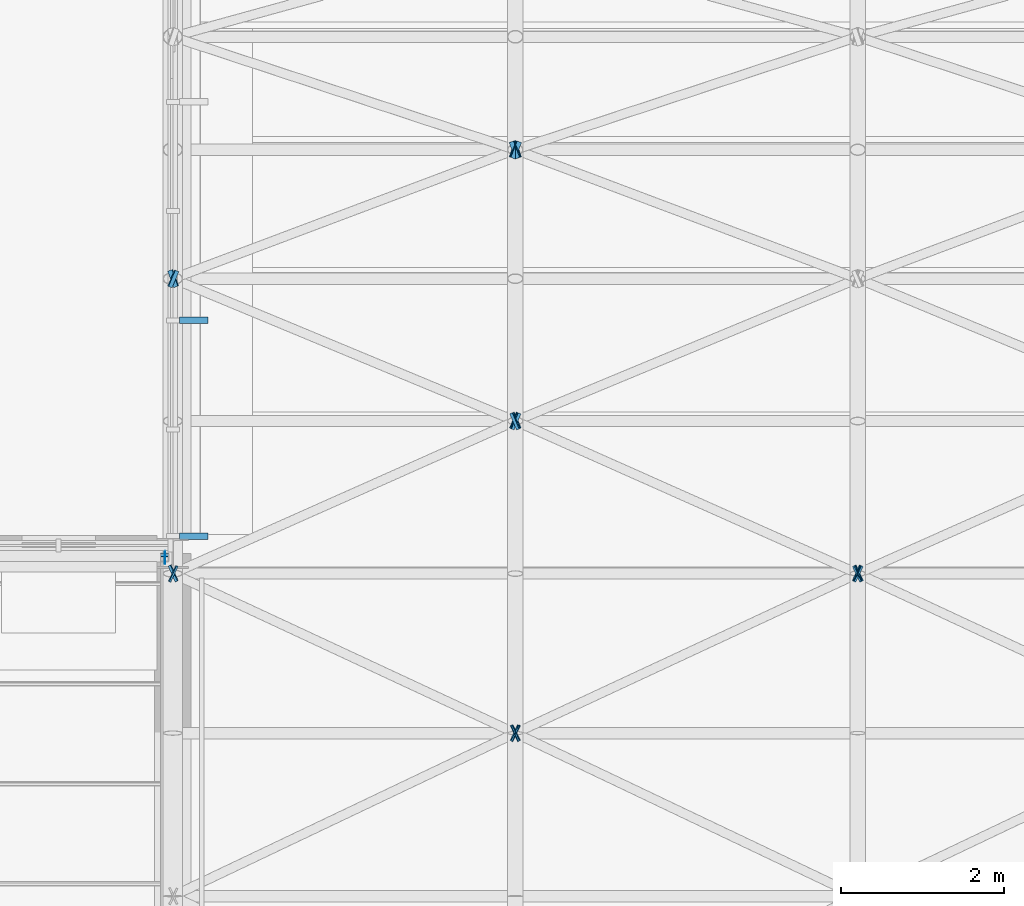
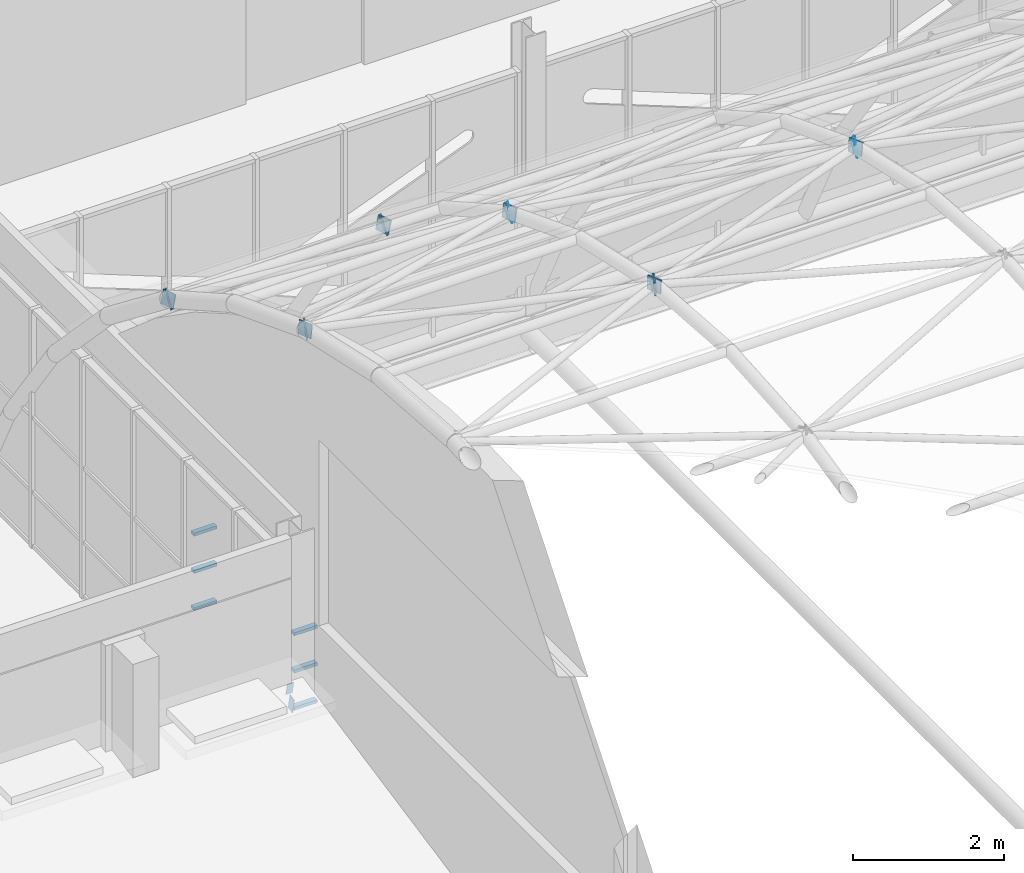
# One storey, part 107 of 121: 28 discrete accessories.
"""IFC4 building model written with IfcOpenShell, lengths in metres."""

from ifc_helpers import new_model, si_unit, direction, frame, origin, origin_2d, place, context, subcontext, project, spatial, rectangle, extrude, material, material_profile, profile_set, type_object, element, save


model = new_model("IFC4")

# Units and contexts
model_context = context("Model", 3, precision=1e-05, world=origin(), true_north=direction((0.0, 1.0)))
body_context = subcontext(model_context, "Body", "Model", "MODEL_VIEW")
ifc_project = project(units=[si_unit("LENGTHUNIT", "METRE"), si_unit("AREAUNIT", "SQUARE_METRE"), si_unit("VOLUMEUNIT", "CUBIC_METRE"), si_unit("PLANEANGLEUNIT", "RADIAN"), si_unit("MASSUNIT", "GRAM", prefix="KILO")], contexts=[model_context])

# Site, building, storey
site_placement = place(None, origin())
site = spatial("IfcSite", under=ifc_project, at=site_placement, CompositionType="ELEMENT")
building_placement = place(site_placement, origin())
building = spatial("IfcBuilding", under=site, at=building_placement, Name="Ardhachandra Cancer Care Centre", CompositionType="ELEMENT")
storey_placement = place(building_placement, frame((0.0, 0.0, 9.0)))
storey = spatial("IfcBuildingStorey", under=building, at=storey_placement, Name="L02", CompositionType="ELEMENT", Elevation=9.0)

# Discrete accessories
ifc_material_1 = material(Name="Steel E250 (IS 2062)", Category="steel")
ifc_material_profile_1 = material_profile(ifc_material_1, rectangle(XDim=0.21435546875, YDim=0.21435546875, at=origin_2d()), Name="PL 214x214x12")
ifc_profile_set_1 = profile_set([ifc_material_profile_1], Name="Steel E250 (IS 2062)")
discrete_accessory_type_1 = type_object("IfcDiscreteAccessoryType", Name="Diagonal end plate 214 x 214 x 12", PredefinedType="BRACKET", material=ifc_profile_set_1)
for number, where, z_axis, x_axis, name in (
    (1, (48.60009765625, 69.19921875, 8.252685546875), (-0.905449091159, -0.422542909207, 0.040242181829), (0.422885465331, -0.906183139995, 0.0), "Diagonal end plate Hall shell diagonal 00-08 2"),
    (2, (48.60009765625, 69.19921875, 8.252685546875), (-0.903257601642, 0.421520214099, -0.08028956459), (-0.422885465331, -0.906183139995, 0.0), "Diagonal end plate Hall shell diagonal 01-09 1"),
    (3, (44.39990234375, 71.155517578125, 7.814208984375), (0.901624387163, -0.420758047343, 0.100180487463), (0.422885465331, 0.906183139995, 0.0), "Diagonal end plate Hall shell diagonal 01-09 2"),
    (4, (44.39990234375, 71.155517578125, 7.814208984375), (0.904716823274, 0.4020963659, -0.140733728065), (-0.406138466053, 0.91381154862, 0.0), "Diagonal end plate Hall shell diagonal 00-10 1"),
):
    element("IfcDiscreteAccessory", number, at=place(storey_placement, frame(where, z_axis=z_axis, x_axis=x_axis)), inside=storey, type_object=discrete_accessory_type_1, Name=name, PredefinedType="BRACKET", context=body_context, shape_type="SweptSolid", body=[
        extrude(rectangle(XDim=0.21435546875, YDim=0.21435546875, at=origin_2d()), origin(), (0.0, 0.0, 1.0), 0.01220703125),
    ])
discrete_accessory_1_placement = place(storey_placement, frame((48.60009765625, 73.0263671875, 7.093994140625), z_axis=(-0.909137290097, -0.38385796693, 0.161624407128), x_axis=(0.38897203704, -0.921249561411, 0.0)))
element("IfcDiscreteAccessory", 5, at=discrete_accessory_1_placement, inside=storey, type_object=discrete_accessory_type_1, Name="Diagonal end plate Hall shell diagonal 00-10 2", PredefinedType="BRACKET", context=body_context, shape_type="SweptSolid", body=[
    extrude(rectangle(XDim=0.21435546875, YDim=0.21435546875, at=origin_2d()), origin(), (0.0, 0.0, 1.0), 0.011962890625),
])
for number, where, z_axis, x_axis, name in (
    (6, (48.60009765625, 73.0263671875, 7.093994140625), (-0.902530633635, 0.381068489757, -0.20056236303), (-0.38897203704, -0.921249561411, 0.0), "Diagonal end plate Hall shell diagonal 01-11 1"),
    (7, (44.39990234375, 74.771728515625, 6.107421875), (0.898742639841, -0.3794691146, 0.219692645294), (0.38897203704, 0.921249561411, 0.0), "Diagonal end plate Hall shell diagonal 01-11 2"),
):
    element("IfcDiscreteAccessory", number, at=place(storey_placement, frame(where, z_axis=z_axis, x_axis=x_axis)), inside=storey, type_object=discrete_accessory_type_1, Name=name, PredefinedType="BRACKET", context=body_context, shape_type="SweptSolid", body=[
        extrude(rectangle(XDim=0.21435546875, YDim=0.21435546875, at=origin_2d()), origin(), (0.0, 0.0, 1.0), 0.01220703125),
    ])
discrete_accessory_2_placement = place(storey_placement, frame((44.39990234375, 74.771728515625, 6.107421875), z_axis=(0.909137290097, 0.323248814257, -0.262639661584), x_axis=(-0.335009667655, 0.942214690279, 0.0)))
element("IfcDiscreteAccessory", 8, at=discrete_accessory_2_placement, inside=storey, type_object=discrete_accessory_type_1, Name="Diagonal end plate Hall shell diagonal 00-12 1", PredefinedType="BRACKET", context=body_context, shape_type="SweptSolid", body=[
    extrude(rectangle(XDim=0.21435546875, YDim=0.21435546875, at=origin_2d()), origin(), (0.0, 0.0, 1.0), 0.011962890625),
])
for number, where, z_axis, x_axis, name in (
    (9, (48.60009765625, 76.353515625, 4.8759765625), (-0.903075694963, -0.341161929208, 0.260888534101), (0.353400568719, -0.935472093667, 0.0), "Diagonal end plate Hall shell diagonal 00-12 2"),
    (10, (48.60009765625, 76.353515625, 4.8759765625), (-0.904534033733, 0.301511344578, -0.301511344578), (-0.316227766017, -0.948683298051, 0.0), "Diagonal end plate Hall shell diagonal 01-13 1"),
):
    element("IfcDiscreteAccessory", number, at=place(storey_placement, frame(where, z_axis=z_axis, x_axis=x_axis)), inside=storey, type_object=discrete_accessory_type_1, Name=name, PredefinedType="BRACKET", context=body_context, shape_type="SweptSolid", body=[
        extrude(rectangle(XDim=0.21435546875, YDim=0.21435546875, at=origin_2d()), origin(), (0.0, 0.0, 1.0), 0.01220703125),
    ])
for number, where, z_axis, x_axis, name in (
    (11, (48.60009765625, 69.19921875, 8.252685546875), (0.901722650223, -0.430367628516, 0.040987393192), (0.430729586215, 0.902481037784, 0.0), "Diagonal end plate Hall shell diagonal 02-08 2"),
    (12, (48.60009765625, 69.19921875, 8.252685546875), (0.899458907781, 0.429287205986, -0.081768991616), (-0.430729586215, 0.902481037784, 0.0), "Diagonal end plate Hall shell diagonal 01-09 1"),
):
    element("IfcDiscreteAccessory", number, at=place(storey_placement, frame(where, z_axis=z_axis, x_axis=x_axis)), inside=storey, type_object=discrete_accessory_type_1, Name=name, PredefinedType="BRACKET", context=body_context, shape_type="SweptSolid", body=[
        extrude(rectangle(XDim=0.21435546875, YDim=0.21435546875, at=origin_2d()), origin(), (0.0, 0.0, 1.0), 0.011962890625),
    ])
for number, where, z_axis, x_axis, name in (
    (13, (52.800048828125, 71.155517578125, 7.814208984375), (-0.901624387163, -0.420758047343, 0.100180487463), (0.422885465331, -0.906183139995, 0.0), "Diagonal end plate Hall shell diagonal 01-09 2"),
    (14, (52.800048828125, 71.155517578125, 7.814208984375), (-0.904716823274, 0.4020963659, -0.140733728065), (-0.406138466053, -0.91381154862, 0.0), "Diagonal end plate Hall shell diagonal 02-10 1"),
):
    element("IfcDiscreteAccessory", number, at=place(storey_placement, frame(where, z_axis=z_axis, x_axis=x_axis)), inside=storey, type_object=discrete_accessory_type_1, Name=name, PredefinedType="BRACKET", context=body_context, shape_type="SweptSolid", body=[
        extrude(rectangle(XDim=0.21435546875, YDim=0.21435546875, at=origin_2d()), origin(), (0.0, 0.0, 1.0), 0.01220703125),
    ])
for number, where, z_axis, x_axis, name in (
    (15, (48.60009765625, 73.0263671875, 7.093994140625), (0.905533836482, -0.391025974844, 0.164642515724), (0.3964360163, 0.918062353536, 0.0), "Diagonal end plate Hall shell diagonal 02-10 2"),
    (16, (48.60009765625, 73.0263671875, 7.093994140625), (0.898708107226, 0.388078500848, -0.204251842551), (-0.3964360163, 0.918062353536, 0.0), "Diagonal end plate Hall shell diagonal 01-11 1"),
    (17, (48.60009765625, 76.353515625, 4.8759765625), (0.899271031245, -0.347445625708, 0.265693713777), (0.360399279202, 0.932798134406, 0.0), "Diagonal end plate Hall shell diagonal 02-12 2"),
    (18, (48.60009765625, 76.353515625, 4.8759765625), (0.900777348936, 0.307083187137, -0.307083187137), (-0.322673927788, 0.946510188179, 0.0), "Diagonal end plate Hall shell diagonal 01-13 1"),
    (19, (52.800048828125, 71.155517578125, 7.814208984375), (0.897772245151, -0.428482207913, 0.102019573313), (0.430729586215, 0.902481037784, 0.0), "Diagonal end plate Hall shell diagonal 03-09 2"),
    (20, (52.800048828125, 71.155517578125, 7.814208984375), (0.900966171356, 0.409530077889, -0.143335527261), (-0.413802944301, 0.910366477463, 0.0), "Diagonal end plate Hall shell diagonal 02-10 1"),
):
    element("IfcDiscreteAccessory", number, at=place(storey_placement, frame(where, z_axis=z_axis, x_axis=x_axis)), inside=storey, type_object=discrete_accessory_type_1, Name=name, PredefinedType="BRACKET", context=body_context, shape_type="SweptSolid", body=[
        extrude(rectangle(XDim=0.21435546875, YDim=0.21435546875, at=origin_2d()), origin(), (0.0, 0.0, 1.0), 0.011962890625),
    ])
ifc_material_2 = material(Name="Galvanised flat steel (Steel E250 (IS 2062))", Category="steel")
discrete_accessory_type_2 = type_object("IfcDiscreteAccessoryType", Name="Louvre bracket 80 x 350", PredefinedType="BRACKET", material=ifc_material_2)
for number, where, z_axis, x_axis, name in (
    (21, (44.655029296875, 71.614013671875, 1.38427734375), (0.0, 0.0, 1.0), (0.0, 1.0, 0.0), "Louvre bracket L02/e/0044400_0071400 1.1"),
    (22, (44.655029296875, 74.26123046875, 1.38427734375), (0.0, 0.0, 1.0), (0.0, 1.0, 0.0), "Louvre bracket L02/e/0044400_0071400 1.2"),
    (23, (44.655029296875, 71.614013671875, 1.984375), (0.0, 0.0, 1.0), (0.0, 1.0, 0.0), "Louvre bracket L02/e/0044400_0071400 2.1"),
    (24, (44.655029296875, 74.26123046875, 1.984375), (0.0, 0.0, 1.0), (0.0, 1.0, 0.0), "Louvre bracket L02/e/0044400_0071400 2.2"),
    (25, (44.655029296875, 71.614013671875, 2.58447265625), (0.0, 0.0, 1.0), (0.0, 1.0, 0.0), "Louvre bracket L02/e/0044400_0071400 3.1"),
    (26, (44.655029296875, 74.26123046875, 2.58447265625), (0.0, 0.0, 1.0), (0.0, 1.0, 0.0), "Louvre bracket L02/e/0044400_0071400 3.2"),
):
    element("IfcDiscreteAccessory", number, at=place(storey_placement, frame(where, z_axis=z_axis, x_axis=x_axis)), inside=storey, type_object=discrete_accessory_type_2, Name=name, PredefinedType="BRACKET", context=body_context, shape_type="SweptSolid", body=[
        extrude(rectangle(XDim=0.080078125, YDim=0.35009765625, at=origin_2d()), origin(), (0.0, 0.0, 1.0), 0.050048828125),
    ])
ifc_material_3 = material(Name="Galvanised flat steel (Steel E250 (IS 2062))", Category="steel")
ifc_material_profile_2 = material_profile(ifc_material_3, rectangle(XDim=0.10009765625, YDim=0.199951171875, at=origin_2d()), Name="Rafter end plate 200 x 100 x 8")
ifc_profile_set_2 = profile_set([ifc_material_profile_2], Name="Galvanised flat steel (Steel E250 (IS 2062))")
discrete_accessory_type_3 = type_object("IfcDiscreteAccessoryType", Name="Rafter end plate 200 x 100 x 8", PredefinedType="BRACKET", material=ifc_profile_set_2)
discrete_accessory_3_placement = place(storey_placement, frame((44.300048828125, 71.380126953125, 1.91796875), z_axis=(0.0, 0.976900017396, 0.213696878805), x_axis=(-1.0, 0.0, 0.0)))
element("IfcDiscreteAccessory", 27, at=discrete_accessory_3_placement, inside=storey, type_object=discrete_accessory_type_3, Name="Rafter end plate T5a.10.2", PredefinedType="BRACKET", context=body_context, shape_type="SweptSolid", body=[
    extrude(rectangle(XDim=0.10009765625, YDim=0.199951171875, at=origin_2d()), origin(), (0.0, 0.0, 1.0), 0.008056640625),
])
ifc_material_4 = material(Name="Galvanised flat steel (Steel E250 (IS 2062))", Category="steel")
ifc_material_profile_3 = material_profile(ifc_material_4, rectangle(XDim=0.1201171875, YDim=0.239990234375, at=origin_2d()), Name="Ridge beam end plate 240 x 120 x 8")
ifc_profile_set_3 = profile_set([ifc_material_profile_3], Name="Galvanised flat steel (Steel E250 (IS 2062))")
discrete_accessory_type_4 = type_object("IfcDiscreteAccessoryType", Name="Ridge beam end plate 240 x 120 x 8", PredefinedType="BRACKET", material=ifc_profile_set_3)
discrete_accessory_4_placement = place(storey_placement, frame((44.300048828125, 71.35009765625, 1.6875), z_axis=(1.0, 0.0, 0.0), x_axis=(0.0, 0.980106641092, 0.198471590126)))
element("IfcDiscreteAccessory", 28, at=discrete_accessory_4_placement, inside=storey, type_object=discrete_accessory_type_4, Name="Ridge beam end plate T5a.2", PredefinedType="BRACKET", context=body_context, shape_type="SweptSolid", body=[
    extrude(rectangle(XDim=0.1201171875, YDim=0.239990234375, at=origin_2d()), origin(), (0.0, 0.0, 1.0), 0.008056640625),
])

save(model, "model.ifc")
